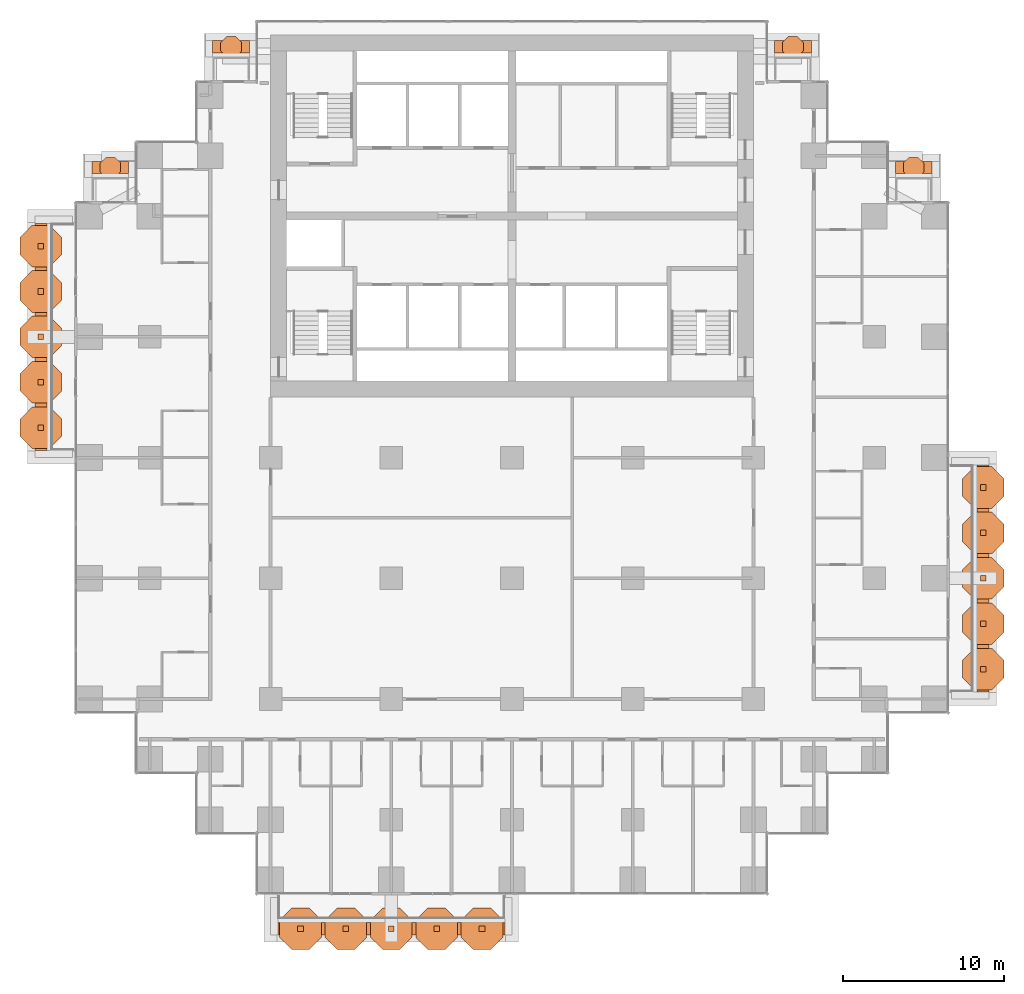
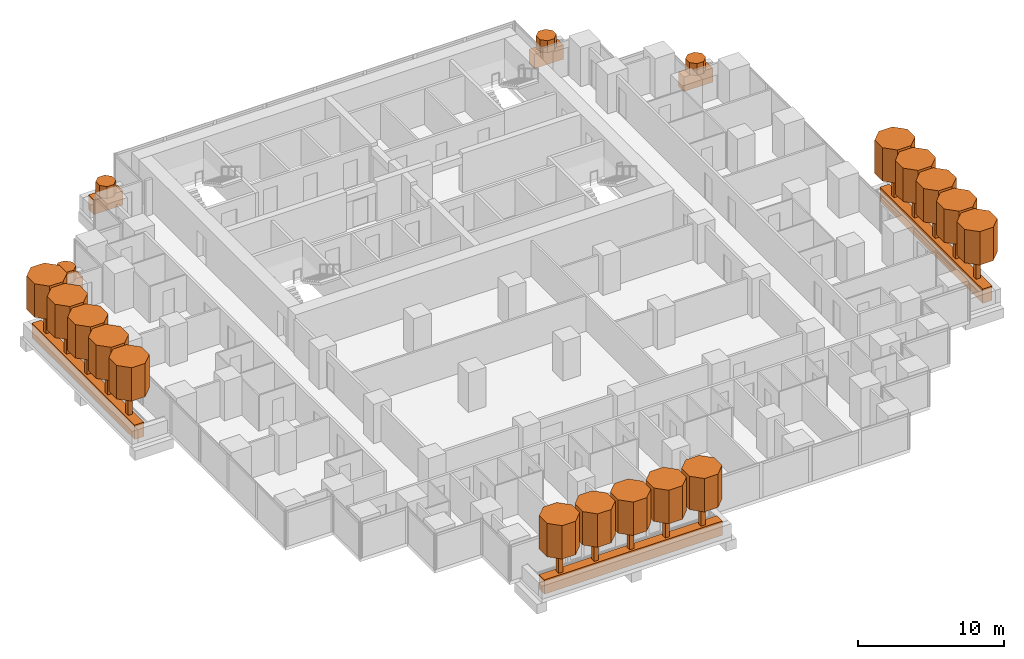
# One storey, part 17 of 17: 41 geographic elements.
"""IFC4 building model written with IfcOpenShell, lengths in metres."""

from ifc_helpers import new_model, si_unit, direction, frame, origin, origin_2d, place, context, subcontext, project, spatial, polyline, rectangle, outline, extrude, material, material_profile, profile_set, type_object, element, save


model = new_model("IFC4")

# Units and contexts
model_context = context("Model", 3, precision=1e-05, world=origin(), true_north=direction((0.0, 1.0)))
body_context = subcontext(model_context, "Body", "Model", "MODEL_VIEW")
ifc_project = project(units=[si_unit("LENGTHUNIT", "METRE"), si_unit("AREAUNIT", "SQUARE_METRE"), si_unit("VOLUMEUNIT", "CUBIC_METRE"), si_unit("PLANEANGLEUNIT", "RADIAN"), si_unit("MASSUNIT", "GRAM", prefix="KILO")], contexts=[model_context])

# Site, building, storey
site_placement = place(None, origin())
site = spatial("IfcSite", under=ifc_project, at=site_placement, CompositionType="ELEMENT")
building_placement = place(site_placement, origin())
building = spatial("IfcBuilding", under=site, at=building_placement, Name="Pilkhan Gate Tower", CompositionType="ELEMENT")
storey_placement = place(building_placement, frame((0.0, 0.0, 49.39990234375)))
storey = spatial("IfcBuildingStorey", under=building, at=storey_placement, Name="L09", CompositionType="ELEMENT", Elevation=49.39990234375)

# Geographic elements
ifc_material_1 = material(Name="Foliage")
ifc_material_profile_1 = material_profile(ifc_material_1, rectangle(XDim=0.75, YDim=1.199951171875, at=origin_2d()), Name="Bed 750x1200")
ifc_profile_set_1 = profile_set([ifc_material_profile_1], Name="Foliage")
geographic_element_type_1 = type_object("IfcGeographicElementType", Name="Planting bed PB1", PredefinedType="USERDEFINED", material=ifc_profile_set_1)
for number, where, z_axis, x_axis, name in (
    (1, (60.449951171875, 38.22509765625, 0.60009765625), (1.0, 0.0, 0.0), (0.0, 1.0, 0.0), "Balcony L09 S planting bed"),
    (2, (104.27490234375, 52.949951171875, 0.60009765625), (0.0, 1.0, 0.0), (-1.0, 0.0, 0.0), "Balcony L09 E planting bed"),
):
    element("IfcGeographicElement", number, at=place(storey_placement, frame(where, z_axis=z_axis, x_axis=x_axis)), inside=storey, type_object=geographic_element_type_1, Name=name, ObjectType="PLANTING BED", PredefinedType="USERDEFINED", context=body_context, shape_type="SweptSolid", body=[
        extrude(rectangle(XDim=0.75, YDim=1.199951171875, at=origin_2d()), origin(), (0.0, 0.0, 1.0), 14.10009765625),
    ])
for number, where, z_axis, x_axis, name in (
    (3, (56.39990234375, 93.02490234375, 0.60009765625), (1.0, 0.0, 0.0), (0.0, 1.0, 0.0), "Balcony L09 N planting bed"),
    (4, (91.300048828125, 93.02490234375, 0.60009765625), (1.0, 0.0, 0.0), (0.0, 1.0, 0.0), "Balcony L09 N planting bed"),
):
    element("IfcGeographicElement", number, at=place(storey_placement, frame(where, z_axis=z_axis, x_axis=x_axis)), inside=storey, type_object=geographic_element_type_1, Name=name, ObjectType="PLANTING BED", PredefinedType="USERDEFINED", context=body_context, shape_type="SweptSolid", body=[
        extrude(rectangle(XDim=0.75, YDim=1.199951171875, at=origin_2d()), origin(), (0.0, 0.0, 1.0), 2.300048828125),
    ])
for number, where, z_axis, x_axis, name in (
    (5, (48.89990234375, 85.52490234375, 0.60009765625), (1.0, 0.0, 0.0), (0.0, 1.0, 0.0), "Balcony L09 N planting bed"),
    (6, (98.820068359375, 85.52490234375, 0.60009765625), (1.0, 0.0, 0.0), (0.0, 1.0, 0.0), "Balcony L09 N planting bed"),
):
    element("IfcGeographicElement", number, at=place(storey_placement, frame(where, z_axis=z_axis, x_axis=x_axis)), inside=storey, type_object=geographic_element_type_1, Name=name, ObjectType="PLANTING BED", PredefinedType="USERDEFINED", context=body_context, shape_type="SweptSolid", body=[
        extrude(rectangle(XDim=0.75, YDim=1.199951171875, at=origin_2d()), origin(), (0.0, 0.0, 1.0), 2.280029296875),
    ])
geographic_element_placement = place(storey_placement, frame((45.72509765625, 67.949951171875, 0.60009765625), z_axis=(0.0, 1.0, 0.0), x_axis=(-1.0, 0.0, 0.0)))
element("IfcGeographicElement", 7, at=geographic_element_placement, inside=storey, type_object=geographic_element_type_1, Name="Balcony L09 W planting bed", ObjectType="PLANTING BED", PredefinedType="USERDEFINED", context=body_context, shape_type="SweptSolid", body=[
    extrude(rectangle(XDim=0.75, YDim=1.199951171875, at=origin_2d()), origin(), (0.0, 0.0, 1.0), 14.10009765625),
])
ifc_material_profile_2 = material_profile(ifc_material_1, outline(polyline([(0.646728515625, 0.267822265625), (0.267822265625, 0.646728515625), (-0.267822265625, 0.646728515625), (-0.646728515625, 0.267822265625), (-0.646728515625, -0.267822265625), (-0.267822265625, -0.646728515625), (0.267822265625, -0.646728515625), (0.646728515625, -0.267822265625), (0.646728515625, 0.267822265625)])), Name="Shrub D1.4")
ifc_profile_set_2 = profile_set([ifc_material_profile_2], Name="Foliage")
geographic_element_type_2 = type_object("IfcGeographicElementType", Name="Shrub SH07", PredefinedType="USERDEFINED", material=ifc_profile_set_2)
for number, where, z_axis, x_axis, name in (
    (8, (57.550048828125, 93.02490234375, 1.2001953125), (0.0, 0.0, 1.0), (1.0, 0.0, 0.0), "Shrub L09 N 1"),
    (9, (92.449951171875, 93.02490234375, 1.2001953125), (0.0, 0.0, 1.0), (1.0, 0.0, 0.0), "Shrub L09 N 1"),
    (10, (50.0400390625, 85.52490234375, 1.2001953125), (0.0, 0.0, 1.0), (1.0, 0.0, 0.0), "Shrub L09 N 1"),
    (11, (99.9599609375, 85.52490234375, 1.2001953125), (0.0, 0.0, 1.0), (1.0, 0.0, 0.0), "Shrub L09 N 1"),
):
    element("IfcGeographicElement", number, at=place(storey_placement, frame(where, z_axis=z_axis, x_axis=x_axis)), inside=storey, type_object=geographic_element_type_2, Name=name, ObjectType="SHRUB", PredefinedType="USERDEFINED", context=body_context, shape_type="SweptSolid", body=[
        extrude(outline(polyline([(0.646728515625, 0.267822265625), (0.267822265625, 0.646728515625), (-0.267822265625, 0.646728515625), (-0.646728515625, 0.267822265625), (-0.646728515625, -0.267822265625), (-0.267822265625, -0.646728515625), (0.267822265625, -0.646728515625), (0.646728515625, -0.267822265625), (0.646728515625, 0.267822265625)])), origin(), (0.0, 0.0, 1.0), 1.0),
    ])
ifc_material_profile_3 = material_profile(ifc_material_1, outline(polyline([(1.29345703125, 0.535888671875), (0.535888671875, 1.29345703125), (-0.535888671875, 1.29345703125), (-1.29345703125, 0.535888671875), (-1.29345703125, -0.535888671875), (-0.535888671875, -1.29345703125), (0.535888671875, -1.29345703125), (1.29345703125, -0.535888671875), (1.29345703125, 0.535888671875)])), Name="Canopy D2.8")
ifc_profile_set_3 = profile_set([ifc_material_profile_3], Name="Foliage")
geographic_element_type_3 = type_object("IfcGeographicElementType", Name="Tree canopy TC14", PredefinedType="USERDEFINED", material=ifc_profile_set_3)
for number, where, z_axis, x_axis, name in (
    (12, (61.860107421875, 38.22509765625, 3.2001953125), (0.0, 0.0, 1.0), (1.0, 0.0, 0.0), "Tree L09 S 1 canopy"),
    (13, (64.679931640625, 38.22509765625, 3.2001953125), (0.0, 0.0, 1.0), (1.0, 0.0, 0.0), "Tree L09 S 2 canopy"),
    (14, (67.5, 38.22509765625, 3.2001953125), (0.0, 0.0, 1.0), (1.0, 0.0, 0.0), "Tree L09 S 3 canopy"),
    (15, (70.320068359375, 38.22509765625, 3.2001953125), (0.0, 0.0, 1.0), (1.0, 0.0, 0.0), "Tree L09 S 4 canopy"),
    (16, (73.139892578125, 38.22509765625, 3.2001953125), (0.0, 0.0, 1.0), (1.0, 0.0, 0.0), "Tree L09 S 5 canopy"),
    (17, (104.27490234375, 54.360107421875, 3.2001953125), (0.0, 0.0, 1.0), (1.0, 0.0, 0.0), "Tree L09 E 1 canopy"),
    (18, (104.27490234375, 57.179931640625, 3.2001953125), (0.0, 0.0, 1.0), (1.0, 0.0, 0.0), "Tree L09 E 2 canopy"),
    (19, (104.27490234375, 60.0, 3.2001953125), (0.0, 0.0, 1.0), (1.0, 0.0, 0.0), "Tree L09 E 3 canopy"),
    (20, (104.27490234375, 62.820068359375, 3.2001953125), (0.0, 0.0, 1.0), (1.0, 0.0, 0.0), "Tree L09 E 4 canopy"),
    (21, (104.27490234375, 65.639892578125, 3.2001953125), (0.0, 0.0, 1.0), (1.0, 0.0, 0.0), "Tree L09 E 5 canopy"),
    (22, (45.72509765625, 69.360107421875, 3.2001953125), (0.0, 0.0, 1.0), (1.0, 0.0, 0.0), "Tree L09 W 1 canopy"),
    (23, (45.72509765625, 72.179931640625, 3.2001953125), (0.0, 0.0, 1.0), (1.0, 0.0, 0.0), "Tree L09 W 2 canopy"),
    (24, (45.72509765625, 75.0, 3.2001953125), (0.0, 0.0, 1.0), (1.0, 0.0, 0.0), "Tree L09 W 3 canopy"),
    (25, (45.72509765625, 77.820068359375, 3.2001953125), (0.0, 0.0, 1.0), (1.0, 0.0, 0.0), "Tree L09 W 4 canopy"),
    (26, (45.72509765625, 80.639892578125, 3.2001953125), (0.0, 0.0, 1.0), (1.0, 0.0, 0.0), "Tree L09 W 5 canopy"),
):
    element("IfcGeographicElement", number, at=place(storey_placement, frame(where, z_axis=z_axis, x_axis=x_axis)), inside=storey, type_object=geographic_element_type_3, Name=name, ObjectType="TREE", PredefinedType="USERDEFINED", context=body_context, shape_type="SweptSolid", body=[
        extrude(outline(polyline([(1.29345703125, 0.535888671875), (0.535888671875, 1.29345703125), (-0.535888671875, 1.29345703125), (-1.29345703125, 0.535888671875), (-1.29345703125, -0.535888671875), (-0.535888671875, -1.29345703125), (0.535888671875, -1.29345703125), (1.29345703125, -0.535888671875), (1.29345703125, 0.535888671875)])), origin(), (0.0, 0.0, 1.0), 2.7998046875),
    ])
ifc_material_2 = material(Name="Timber trunk", Category="wood")
geographic_element_type_4 = type_object("IfcGeographicElementType", Name="Tree trunk TT1", PredefinedType="USERDEFINED", material=ifc_material_2)
for number, where, z_axis, x_axis, name in (
    (27, (61.860107421875, 38.22509765625, 1.2001953125), (0.0, 0.0, 1.0), (1.0, 0.0, 0.0), "Tree L09 S 1 trunk"),
    (28, (64.679931640625, 38.22509765625, 1.2001953125), (0.0, 0.0, 1.0), (1.0, 0.0, 0.0), "Tree L09 S 2 trunk"),
    (29, (67.5, 38.22509765625, 1.2001953125), (0.0, 0.0, 1.0), (1.0, 0.0, 0.0), "Tree L09 S 3 trunk"),
    (30, (70.320068359375, 38.22509765625, 1.2001953125), (0.0, 0.0, 1.0), (1.0, 0.0, 0.0), "Tree L09 S 4 trunk"),
    (31, (73.139892578125, 38.22509765625, 1.2001953125), (0.0, 0.0, 1.0), (1.0, 0.0, 0.0), "Tree L09 S 5 trunk"),
    (32, (104.27490234375, 54.360107421875, 1.2001953125), (0.0, 0.0, 1.0), (1.0, 0.0, 0.0), "Tree L09 E 1 trunk"),
    (33, (104.27490234375, 57.179931640625, 1.2001953125), (0.0, 0.0, 1.0), (1.0, 0.0, 0.0), "Tree L09 E 2 trunk"),
    (34, (104.27490234375, 60.0, 1.2001953125), (0.0, 0.0, 1.0), (1.0, 0.0, 0.0), "Tree L09 E 3 trunk"),
    (35, (104.27490234375, 62.820068359375, 1.2001953125), (0.0, 0.0, 1.0), (1.0, 0.0, 0.0), "Tree L09 E 4 trunk"),
    (36, (104.27490234375, 65.639892578125, 1.2001953125), (0.0, 0.0, 1.0), (1.0, 0.0, 0.0), "Tree L09 E 5 trunk"),
    (37, (45.72509765625, 69.360107421875, 1.2001953125), (0.0, 0.0, 1.0), (1.0, 0.0, 0.0), "Tree L09 W 1 trunk"),
    (38, (45.72509765625, 72.179931640625, 1.2001953125), (0.0, 0.0, 1.0), (1.0, 0.0, 0.0), "Tree L09 W 2 trunk"),
    (39, (45.72509765625, 75.0, 1.2001953125), (0.0, 0.0, 1.0), (1.0, 0.0, 0.0), "Tree L09 W 3 trunk"),
    (40, (45.72509765625, 77.820068359375, 1.2001953125), (0.0, 0.0, 1.0), (1.0, 0.0, 0.0), "Tree L09 W 4 trunk"),
    (41, (45.72509765625, 80.639892578125, 1.2001953125), (0.0, 0.0, 1.0), (1.0, 0.0, 0.0), "Tree L09 W 5 trunk"),
):
    element("IfcGeographicElement", number, at=place(storey_placement, frame(where, z_axis=z_axis, x_axis=x_axis)), inside=storey, type_object=geographic_element_type_4, Name=name, ObjectType="TREE", PredefinedType="USERDEFINED", context=body_context, shape_type="SweptSolid", body=[
        extrude(rectangle(XDim=0.35009765625, YDim=0.35009765625, at=origin_2d()), origin(), (0.0, 0.0, 1.0), 2.0),
    ])

save(model, "model.ifc")
